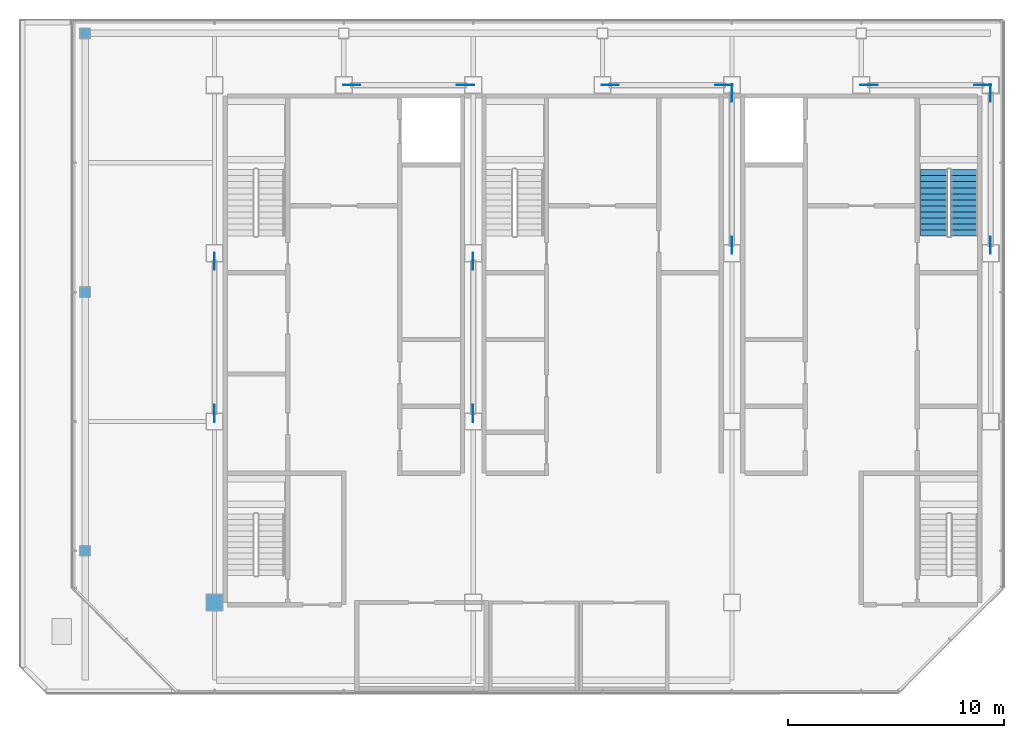
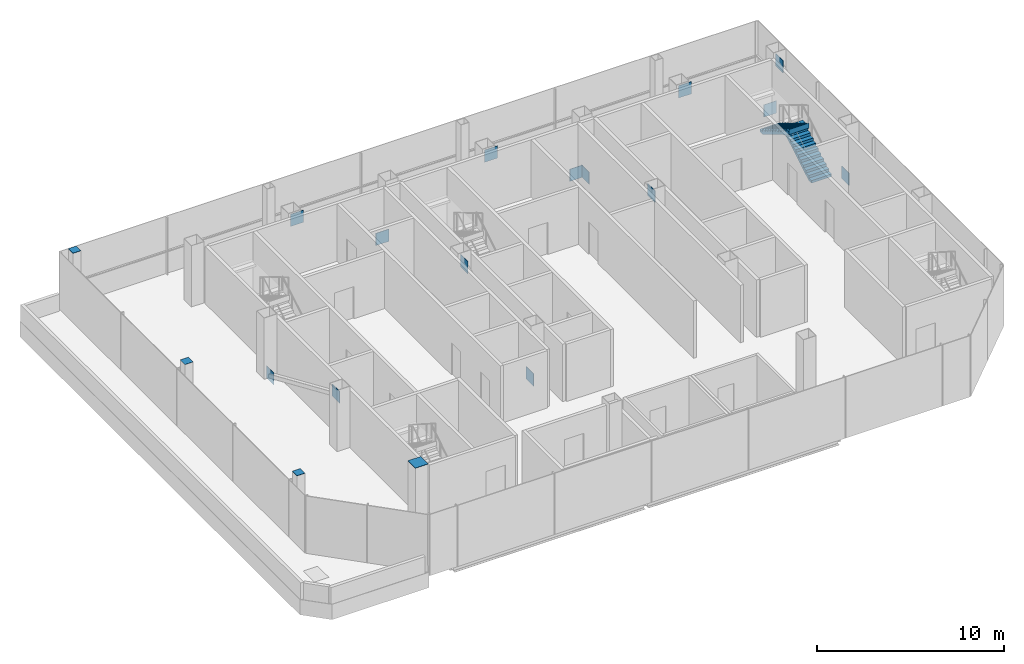
# One storey, part 10 of 11: 18 discrete accessories, 2 stair flights, 1 element without a shape of its own.
"""IFC4 building model written with IfcOpenShell, lengths in metres."""

from ifc_helpers import new_model, si_unit, direction, frame, origin, origin_2d, place, context, subcontext, project, spatial, polyline, rectangle, outline, extrude, material, layer, layer_set, type_object, element, aggregate, save


model = new_model("IFC4")

# Units and contexts
model_context = context("Model", 3, precision=1e-05, world=origin(), true_north=direction((0.0, 1.0)))
body_context = subcontext(model_context, "Body", "Model", "MODEL_VIEW")
ifc_project = project(units=[si_unit("LENGTHUNIT", "METRE"), si_unit("AREAUNIT", "SQUARE_METRE"), si_unit("VOLUMEUNIT", "CUBIC_METRE"), si_unit("PLANEANGLEUNIT", "RADIAN"), si_unit("MASSUNIT", "GRAM", prefix="KILO")], contexts=[model_context])

# Site, building, storey
site_placement = place(None, origin())
site = spatial("IfcSite", under=ifc_project, at=site_placement, CompositionType="ELEMENT")
building_placement = place(site_placement, origin())
building = spatial("IfcBuilding", under=site, at=building_placement, Name="Sorahane Residences", CompositionType="ELEMENT")
storey_placement = place(building_placement, frame((0.0, 0.0, 349.800048828125)))
storey = spatial("IfcBuildingStorey", under=building, at=storey_placement, Name="L83", CompositionType="ELEMENT", Elevation=349.800048828125)

# Stair, stair flights
ifc_material_1 = material(Name="Concrete C40", Category="concrete")
stair_type = type_object("IfcStairType", Name="Dog-leg stair 1250 Concrete C40", PredefinedType="HALF_TURN_STAIR", material=ifc_material_1)
stair_placement = place(storey_placement, origin())
stair = element("IfcStair", 1, at=stair_placement, inside=storey, type_object=stair_type, Name="L83 Stair S2", PredefinedType="HALF_TURN_STAIR")
ifc_material_2 = material(Name="Concrete C40", Category="concrete")
stair_flight_type = type_object("IfcStairFlightType", Name="Stair flight 1250 Concrete C40", PredefinedType="STRAIGHT", material=ifc_material_2)
stair_flight_1_placement = place(storey_placement, frame((40.77490234375, 38.60009765625, 0.0), z_axis=(0.0, 0.0, 1.0), x_axis=(0.0, 1.0, 0.0)))
stair_flight_1 = element("IfcStairFlight", 2, at=stair_flight_1_placement, type_object=stair_flight_type, Name="S2 flight 1", NumberOfRisers=12, NumberOfTreads=11, PredefinedType="STRAIGHT", RiserHeight=0.166666667, TreadLength=0.28, context=body_context, shape_type="SweptSolid", body=[
    extrude(outline(polyline([(-0.00146484375, 0.0), (-0.00146484375, 0.166748046875), (0.0, 0.166748046875), (0.280029296875, 0.166748046875), (0.280029296875, 0.333251953125), (0.56005859375, 0.333251953125), (0.56005859375, 0.5), (0.840087890625, 0.5), (0.840087890625, 0.666748046875), (1.1201171875, 0.666748046875), (1.1201171875, 0.833251953125), (1.39990234375, 0.833251953125), (1.39990234375, 1.0), (1.679931640625, 1.0), (1.679931640625, 1.166748046875), (1.9599609375, 1.166748046875), (1.9599609375, 1.333251953125), (2.239990234375, 1.333251953125), (2.239990234375, 1.5), (2.52001953125, 1.5), (2.52001953125, 1.666748046875), (2.800048828125, 1.666748046875), (2.800048828125, 1.833251953125), (3.080078125, 1.833251953125), (3.080078125, 2.0), (3.080078125, 1.658935546875), (2.86572265625, 1.53125), (2.651123046875, 1.403564453125), (2.436767578125, 1.276123046875), (2.222412109375, 1.1484375), (2.008056640625, 1.020751953125), (1.793701171875, 0.893310546875), (1.579345703125, 0.765625), (1.364990234375, 0.637939453125), (1.150634765625, 0.510498046875), (0.936279296875, 0.3828125), (0.721923828125, 0.255126953125), (0.507568359375, 0.127685546875), (0.29296875, 0.0), (-0.00146484375, 0.0)])), frame((0.0, 0.625, 0.0), z_axis=(0.0, -1.0, 0.0), x_axis=(1.0, 0.0, 0.0)), (0.0, 0.0, 1.0), 1.25),
])
stair_flight_2_placement = place(storey_placement, frame((39.375, 41.679931640625, 2.0), z_axis=(0.0, 0.0, 1.0), x_axis=(0.0, -1.0, 0.0)))
stair_flight_2 = element("IfcStairFlight", 3, at=stair_flight_2_placement, type_object=stair_flight_type, Name="S2 flight 2", NumberOfRisers=12, NumberOfTreads=11, PredefinedType="STRAIGHT", RiserHeight=0.166666667, TreadLength=0.28, context=body_context, shape_type="SweptSolid", body=[
    extrude(outline(polyline([(0.0, 0.0), (0.0, 0.166748046875), (0.280029296875, 0.166748046875), (0.280029296875, 0.333251953125), (0.56005859375, 0.333251953125), (0.56005859375, 0.5), (0.840087890625, 0.5), (0.840087890625, 0.666748046875), (1.1201171875, 0.666748046875), (1.1201171875, 0.833251953125), (1.39990234375, 0.833251953125), (1.39990234375, 1.0), (1.679931640625, 1.0), (1.679931640625, 1.166748046875), (1.9599609375, 1.166748046875), (1.9599609375, 1.333251953125), (2.239990234375, 1.333251953125), (2.239990234375, 1.5), (2.52001953125, 1.5), (2.52001953125, 1.666748046875), (2.800048828125, 1.666748046875), (2.800048828125, 1.833251953125), (3.080078125, 1.833251953125), (3.080078125, 2.0), (3.08154296875, 2.0), (3.08154296875, 1.658935546875), (2.866943359375, 1.53125), (2.652587890625, 1.403564453125), (2.43798828125, 1.276123046875), (2.2236328125, 1.1484375), (2.009033203125, 1.020751953125), (1.79443359375, 0.893310546875), (1.580078125, 0.765625), (1.365478515625, 0.637939453125), (1.151123046875, 0.510498046875), (0.9365234375, 0.3828125), (0.72216796875, 0.255126953125), (0.507568359375, 0.127685546875), (0.29296875, 0.0), (0.0, 0.0)])), frame((0.0, 0.625, 0.0), z_axis=(0.0, -1.0, 0.0), x_axis=(1.0, 0.0, 0.0)), (0.0, 0.0, 1.0), 1.25),
])
aggregate(stair, [stair_flight_1, stair_flight_2])

# Discrete accessories
ifc_material_3 = material(Name="Steel Q355B", Category="steel")
ifc_layer_1 = layer(ifc_material_3, 0.02001953125)
ifc_layer_set_1 = layer_set([ifc_layer_1], Name="End plate Steel Q355B 500x500x20")
discrete_accessory_type_1 = type_object("IfcDiscreteAccessoryType", Name="End plate Steel Q355B 500x500x20", PredefinedType="USERDEFINED", material=ifc_layer_set_1)
for number, where, z_axis, x_axis, name in (
    (4, (0.0, 24.0, 4.0), (0.0, 0.0, 1.0), (1.0, 0.0, 0.0), "End plate L83"),
    (5, (0.0, 36.0, 4.0), (0.0, 0.0, 1.0), (1.0, 0.0, 0.0), "End plate L83"),
    (6, (0.0, 48.0, 4.0), (0.0, 0.0, 1.0), (1.0, 0.0, 0.0), "End plate L83"),
):
    element("IfcDiscreteAccessory", number, at=place(storey_placement, frame(where, z_axis=z_axis, x_axis=x_axis)), inside=storey, type_object=discrete_accessory_type_1, Name=name, ObjectType="END PLATE", PredefinedType="USERDEFINED", context=body_context, shape_type="SweptSolid", body=[
        extrude(rectangle(XDim=0.5, YDim=0.5, at=origin_2d()), origin(), (0.0, 0.0, 1.0), 0.02001953125),
    ])
ifc_material_4 = material(Name="Steel Q355B", Category="steel")
ifc_layer_2 = layer(ifc_material_4, 0.02001953125)
ifc_layer_set_2 = layer_set([ifc_layer_2], Name="End plate Steel Q355B 800x800x20")
discrete_accessory_type_2 = type_object("IfcDiscreteAccessoryType", Name="End plate Steel Q355B 800x800x20", PredefinedType="USERDEFINED", material=ifc_layer_set_2)
discrete_accessory_placement = place(storey_placement, frame((6.0, 21.60009765625, 4.0), z_axis=(0.0, 0.0, 1.0), x_axis=(1.0, 0.0, 0.0)))
element("IfcDiscreteAccessory", 7, at=discrete_accessory_placement, inside=storey, type_object=discrete_accessory_type_2, Name="End plate L83", ObjectType="END PLATE", PredefinedType="USERDEFINED", context=body_context, shape_type="SweptSolid", body=[
    extrude(rectangle(XDim=0.800048828125, YDim=0.800048828125, at=origin_2d()), origin(), (0.0, 0.0, 1.0), 0.02001953125),
])
ifc_material_5 = material(Name="Steel Q355B", Category="steel")
ifc_layer_3 = layer(ifc_material_5, 0.02490234375)
ifc_layer_set_3 = layer_set([ifc_layer_3], Name="Node plate Steel Q355B 25")
discrete_accessory_type_3 = type_object("IfcDiscreteAccessoryType", Name="Node plate Steel Q355B 25", PredefinedType="BRACKET", material=ifc_layer_set_3)
for number, where, z_axis, x_axis, name in (
    (8, (6.0, 37.429931640625, -0.2880859375), (0.0, 0.0, 1.0), (0.0, 1.0, 0.0), "Node plate L83 br"),
    (9, (6.0, 30.3701171875, 2.7880859375), (0.0, 0.0, 1.0), (0.0, 1.0, 0.0), "Node plate L83 br"),
    (10, (18.0, 30.3701171875, -0.2880859375), (0.0, 0.0, 1.0), (0.0, 1.0, 0.0), "Node plate L83 br"),
    (11, (18.0, 37.429931640625, 2.7880859375), (0.0, 0.0, 1.0), (0.0, 1.0, 0.0), "Node plate L83 br"),
    (12, (30.0, 45.22998046875, -0.2880859375), (0.0, 0.0, 1.0), (0.0, 1.0, 0.0), "Node plate L83 br"),
    (13, (30.0, 38.169921875, 2.7880859375), (0.0, 0.0, 1.0), (0.0, 1.0, 0.0), "Node plate L83 br"),
    (14, (42.0, 38.169921875, -0.2880859375), (0.0, 0.0, 1.0), (0.0, 1.0, 0.0), "Node plate L83 br"),
    (15, (42.0, 45.22998046875, 2.7880859375), (0.0, 0.0, 1.0), (0.0, 1.0, 0.0), "Node plate L83 br"),
    (16, (17.637939453125, 45.60009765625, -0.29736328125), (0.0, 0.0, 1.0), (1.0, 0.0, 0.0), "Node plate L83 br"),
    (17, (29.637939453125, 45.60009765625, -0.29736328125), (0.0, 0.0, 1.0), (1.0, 0.0, 0.0), "Node plate L83 br"),
    (18, (41.637939453125, 45.60009765625, -0.29736328125), (0.0, 0.0, 1.0), (1.0, 0.0, 0.0), "Node plate L83 br"),
    (19, (12.362060546875, 45.60009765625, 2.79736328125), (0.0, 0.0, 1.0), (1.0, 0.0, 0.0), "Node plate L83 br"),
    (20, (24.362060546875, 45.60009765625, 2.79736328125), (0.0, 0.0, 1.0), (1.0, 0.0, 0.0), "Node plate L83 br"),
    (21, (36.362060546875, 45.60009765625, 2.79736328125), (0.0, 0.0, 1.0), (1.0, 0.0, 0.0), "Node plate L83 br"),
):
    element("IfcDiscreteAccessory", number, at=place(storey_placement, frame(where, z_axis=z_axis, x_axis=x_axis)), inside=storey, type_object=discrete_accessory_type_3, Name=name, PredefinedType="BRACKET", context=body_context, shape_type="SweptSolid", body=[
        extrude(rectangle(XDim=0.800048828125, YDim=0.02490234375, at=origin_2d()), origin(), (0.0, 0.0, 1.0), 0.800048828125),
    ])

save(model, "model.ifc")
